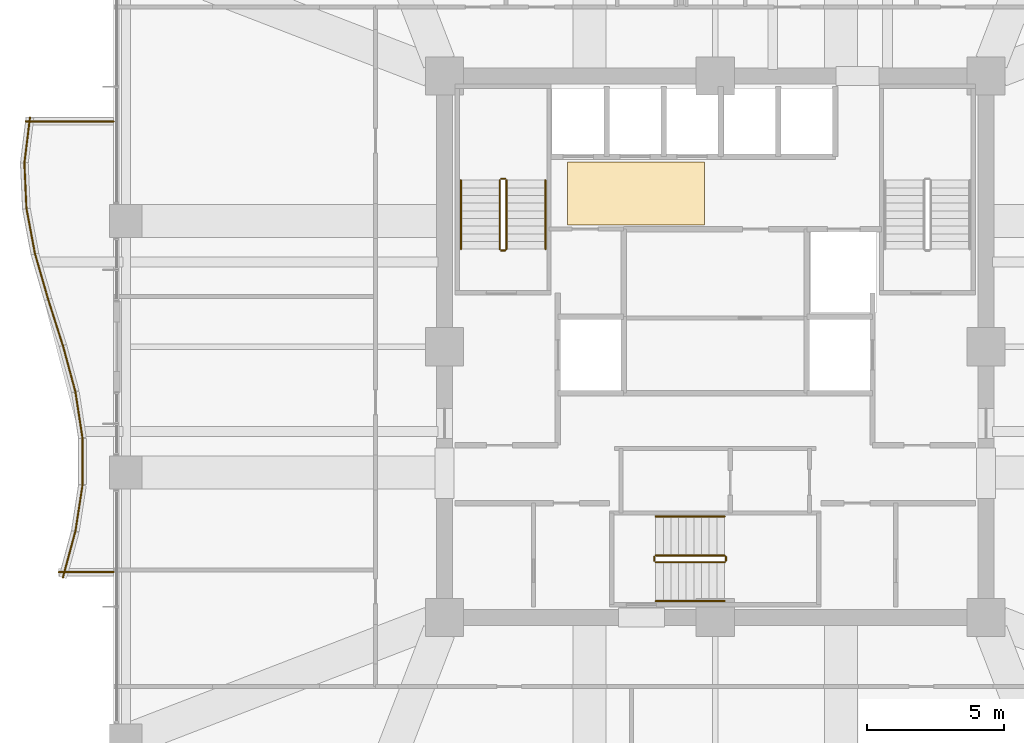
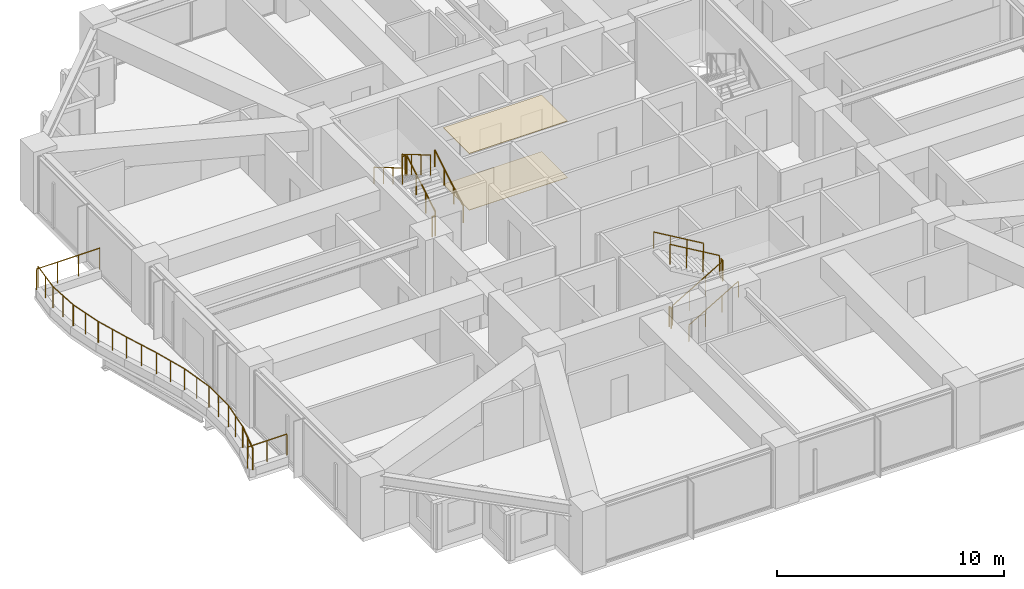
# One storey, part 37 of 39: 24 railings, 2 coverings.
"""IFC4 building model written with IfcOpenShell, lengths in metres."""

from ifc_helpers import new_model, si_unit, direction, frame, origin, origin_2d, place, context, subcontext, project, spatial, polyline, circle, outline, extrude, material, layer, layer_set, type_object, element, save


model = new_model("IFC4")

# Units and contexts
model_context = context("Model", 3, precision=1e-05, world=origin(), true_north=direction((0.0, 1.0)))
body_context = subcontext(model_context, "Body", "Model", "MODEL_VIEW")
ifc_project = project(units=[si_unit("LENGTHUNIT", "METRE"), si_unit("AREAUNIT", "SQUARE_METRE"), si_unit("VOLUMEUNIT", "CUBIC_METRE"), si_unit("PLANEANGLEUNIT", "RADIAN"), si_unit("MASSUNIT", "GRAM", prefix="KILO")], contexts=[model_context])

# Site, building, storey
site_placement = place(None, origin())
site = spatial("IfcSite", under=ifc_project, at=site_placement, CompositionType="ELEMENT")
building_placement = place(site_placement, origin())
building = spatial("IfcBuilding", under=site, at=building_placement, Name="Kolvaren Belvedere", CompositionType="ELEMENT")
storey_placement = place(building_placement, frame((0.0, 0.0, 33.699951171875)))
storey = spatial("IfcBuildingStorey", under=building, at=storey_placement, Name="L09", CompositionType="ELEMENT", Elevation=33.699951171875)

# Coverings
ifc_material_1 = material(Name="Acoustic perforated gypsum board", Category="gypsum")
ifc_layer_1 = layer(ifc_material_1, 0.02490234375)
ifc_layer_set_1 = layer_set([ifc_layer_1], Name="Acoustic perforated gypsum board")
covering_type_1 = type_object("IfcCoveringType", Name="COV-CEIL-GYP", PredefinedType="CEILING", material=ifc_layer_set_1)
covering_1_placement = place(storey_placement, frame((0.0, 0.0, 3.03515625)))
element("IfcCovering", 1, at=covering_1_placement, inside=storey, type_object=covering_type_1, Name="L09 Lift Lobby Acoustic Baffle Ceiling", PredefinedType="CEILING", context=body_context, shape_type="SweptSolid", body=[
    extrude(outline(polyline([(-5.39990234375, 4.449951171875), (-0.39990234375, 4.449951171875), (-0.39990234375, 6.75), (-5.39990234375, 6.75), (-5.39990234375, 4.449951171875)])), origin(), (0.0, 0.0, 1.0), 0.02490234375),
])
ifc_material_2 = material(Name="Engineered Pacific white oak", Category="timber")
ifc_layer_2 = layer(ifc_material_2, 0.02001953125)
ifc_layer_set_2 = layer_set([ifc_layer_2], Name="Engineered Pacific white oak")
covering_type_2 = type_object("IfcCoveringType", Name="COV-FLR-OAK", PredefinedType="FLOORING", material=ifc_layer_set_2)
covering_2_placement = place(storey_placement, origin())
element("IfcCovering", 2, at=covering_2_placement, inside=storey, type_object=covering_type_2, Name="L09 Lift Lobby Finish Flooring", PredefinedType="FLOORING", context=body_context, shape_type="SweptSolid", body=[
    extrude(outline(polyline([(-5.39990234375, 4.449951171875), (-0.39990234375, 4.449951171875), (-0.39990234375, 6.75), (-5.39990234375, 6.75), (-5.39990234375, 4.449951171875)])), origin(), (0.0, 0.0, 1.0), 0.02001953125),
])

# Railings
ifc_material_3 = material(Name="Anodised pale-metal aluminium & laminated glass guard", Category="aluminium")
railing_type_1 = type_object("IfcRailingType", Name="RL-GUARD-1150", PredefinedType="GUARDRAIL", material=ifc_material_3)
railing_1_placement = place(storey_placement, frame((-25.054931640625, 8.380615234375, 0.360107421875)))
element("IfcRailing", 3, at=railing_1_placement, inside=storey, type_object=railing_type_1, Name="L09 Exterior Deck Safety Guard BAL-W-1", PredefinedType="GUARDRAIL", context=body_context, shape_type="SweptSolid", body=[
    extrude(circle(Radius=0.02392578125, at=origin_2d()), frame((0.0, 0.0, 1.1259765625), z_axis=(-0.121868867697, -0.992546210051, 0.0), x_axis=(0.992546210051, -0.121868867697, 0.0)), (0.0, 0.0, 1.0), 1.69287109375),
    extrude(circle(Radius=0.02099609375, at=origin_2d()), origin(), (0.0, 0.0, 1.0), 1.101806640625),
    extrude(circle(Radius=0.02099609375, at=origin_2d()), frame((-0.10302734375, -0.840087890625, 0.0)), (0.0, 0.0, 1.0), 1.101806640625),
    extrude(circle(Radius=0.02099609375, at=origin_2d()), frame((-0.206298828125, -1.68017578125, 0.0)), (0.0, 0.0, 1.0), 1.101806640625),
])
railing_2_placement = place(storey_placement, frame((-25.26025390625, 6.727294921875, 0.360107421875)))
element("IfcRailing", 4, at=railing_2_placement, inside=storey, type_object=railing_type_1, Name="L09 Exterior Deck Safety Guard BAL-W-2", PredefinedType="GUARDRAIL", context=body_context, shape_type="SweptSolid", body=[
    extrude(circle(Radius=0.02392578125, at=origin_2d()), frame((0.0, 0.0, 1.1259765625), z_axis=(0.045144279054, -0.998980477321, 0.0), x_axis=(0.998980477321, 0.045144279054, 0.0)), (0.0, 0.0, 1.0), 1.681884765625),
    extrude(circle(Radius=0.02099609375, at=origin_2d()), origin(), (0.0, 0.0, 1.0), 1.101806640625),
    extrude(circle(Radius=0.02099609375, at=origin_2d()), frame((0.0380859375, -0.840087890625, 0.0)), (0.0, 0.0, 1.0), 1.101806640625),
    extrude(circle(Radius=0.02099609375, at=origin_2d()), frame((0.075927734375, -1.68017578125, 0.0)), (0.0, 0.0, 1.0), 1.101806640625),
])
railing_3_placement = place(storey_placement, frame((-25.18701171875, 5.069580078125, 0.360107421875)))
element("IfcRailing", 5, at=railing_3_placement, inside=storey, type_object=railing_type_1, Name="L09 Exterior Deck Safety Guard BAL-W-3", PredefinedType="GUARDRAIL", context=body_context, shape_type="SweptSolid", body=[
    extrude(circle(Radius=0.02392578125, at=origin_2d()), frame((0.0, 0.0, 1.1259765625), z_axis=(0.184814532932, -0.982773416621, 0.0), x_axis=(0.982773416621, 0.184814532932, 0.0)), (0.0, 0.0, 1.0), 1.70947265625),
    extrude(circle(Radius=0.02099609375, at=origin_2d()), origin(), (0.0, 0.0, 1.0), 1.101806640625),
    extrude(circle(Radius=0.02099609375, at=origin_2d()), frame((0.157958984375, -0.83984375, 0.0)), (0.0, 0.0, 1.0), 1.101806640625),
    extrude(circle(Radius=0.02099609375, at=origin_2d()), frame((0.31591796875, -1.679931640625, 0.0)), (0.0, 0.0, 1.0), 1.101806640625),
])
railing_4_placement = place(storey_placement, frame((-24.874755859375, 3.404541015625, 0.360107421875)))
element("IfcRailing", 6, at=railing_4_placement, inside=storey, type_object=railing_type_1, Name="L09 Exterior Deck Safety Guard BAL-W-4", PredefinedType="GUARDRAIL", context=body_context, shape_type="SweptSolid", body=[
    extrude(circle(Radius=0.02392578125, at=origin_2d()), frame((0.0, 0.0, 1.1259765625), z_axis=(0.277946215201, -0.96059663827, 0.0), x_axis=(0.96059663827, 0.277946215201, 0.0)), (0.0, 0.0, 1.0), 1.748779296875),
    extrude(circle(Radius=0.02099609375, at=origin_2d()), origin(), (0.0, 0.0, 1.0), 1.101806640625),
    extrude(circle(Radius=0.02099609375, at=origin_2d()), frame((0.2431640625, -0.83984375, 0.0)), (0.0, 0.0, 1.0), 1.101806640625),
    extrude(circle(Radius=0.02099609375, at=origin_2d()), frame((0.486083984375, -1.679931640625, 0.0)), (0.0, 0.0, 1.0), 1.101806640625),
])
railing_5_placement = place(storey_placement, frame((-24.389892578125, 1.728515625, 0.360107421875)))
element("IfcRailing", 7, at=railing_5_placement, inside=storey, type_object=railing_type_1, Name="L09 Exterior Deck Safety Guard BAL-W-5", PredefinedType="GUARDRAIL", context=body_context, shape_type="SweptSolid", body=[
    extrude(circle(Radius=0.02392578125, at=origin_2d()), frame((0.0, 0.0, 1.1259765625), z_axis=(0.303906495014, -0.952701864325, 0.0), x_axis=(0.952701864325, 0.303906495014, 0.0)), (0.0, 0.0, 1.0), 1.763427734375),
    extrude(circle(Radius=0.02099609375, at=origin_2d()), origin(), (0.0, 0.0, 1.0), 1.101806640625),
    extrude(circle(Radius=0.02099609375, at=origin_2d()), frame((0.26806640625, -0.83984375, 0.0)), (0.0, 0.0, 1.0), 1.101806640625),
    extrude(circle(Radius=0.02099609375, at=origin_2d()), frame((0.535888671875, -1.679931640625, 0.0)), (0.0, 0.0, 1.0), 1.101806640625),
])
railing_6_placement = place(storey_placement, frame((-23.851806640625, 0.041748046875, 0.360107421875)))
element("IfcRailing", 8, at=railing_6_placement, inside=storey, type_object=railing_type_1, Name="L09 Exterior Deck Safety Guard BAL-W-6", PredefinedType="GUARDRAIL", context=body_context, shape_type="SweptSolid", body=[
    extrude(circle(Radius=0.02392578125, at=origin_2d()), frame((0.0, 0.0, 1.1259765625), z_axis=(0.260682852326, -0.965424492388, 0.0), x_axis=(0.965424492388, 0.260682852326, 0.0)), (0.0, 0.0, 1.0), 1.739990234375),
    extrude(circle(Radius=0.02099609375, at=origin_2d()), origin(), (0.0, 0.0, 1.0), 1.101806640625),
    extrude(circle(Radius=0.02099609375, at=origin_2d()), frame((0.226806640625, -0.83984375, 0.0)), (0.0, 0.0, 1.0), 1.101806640625),
    extrude(circle(Radius=0.02099609375, at=origin_2d()), frame((0.45361328125, -1.679931640625, 0.0)), (0.0, 0.0, 1.0), 1.101806640625),
])
railing_7_placement = place(storey_placement, frame((-23.39453125, -1.655517578125, 0.360107421875)))
element("IfcRailing", 9, at=railing_7_placement, inside=storey, type_object=railing_type_1, Name="L09 Exterior Deck Safety Guard BAL-W-7", PredefinedType="GUARDRAIL", context=body_context, shape_type="SweptSolid", body=[
    extrude(circle(Radius=0.02392578125, at=origin_2d()), frame((0.0, 0.0, 1.1259765625), z_axis=(0.152229849666, -0.988345118302, 0.0), x_axis=(0.988345118302, 0.152229849666, 0.0)), (0.0, 0.0, 1.0), 1.699951171875),
    extrude(circle(Radius=0.02099609375, at=origin_2d()), origin(), (0.0, 0.0, 1.0), 1.101806640625),
    extrude(circle(Radius=0.02099609375, at=origin_2d()), frame((0.12939453125, -0.840087890625, 0.0)), (0.0, 0.0, 1.0), 1.101806640625),
    extrude(circle(Radius=0.02099609375, at=origin_2d()), frame((0.2587890625, -1.68017578125, 0.0)), (0.0, 0.0, 1.0), 1.101806640625),
])
railing_8_placement = place(storey_placement, frame((-23.1337890625, -3.360107421875, 0.360107421875)))
element("IfcRailing", 10, at=railing_8_placement, inside=storey, type_object=railing_type_1, Name="L09 Exterior Deck Safety Guard BAL-W-8", PredefinedType="GUARDRAIL", context=body_context, shape_type="SweptSolid", body=[
    extrude(circle(Radius=0.02392578125, at=origin_2d()), frame((0.0, 0.0, 1.1259765625), z_axis=(0.0, -1.0, 0.0), x_axis=(1.0, 0.0, 0.0)), (0.0, 0.0, 1.0), 1.679931640625),
    extrude(circle(Radius=0.02099609375, at=origin_2d()), origin(), (0.0, 0.0, 1.0), 1.101806640625),
    extrude(circle(Radius=0.02099609375, at=origin_2d()), frame((0.0, -0.83984375, 0.0)), (0.0, 0.0, 1.0), 1.101806640625),
    extrude(circle(Radius=0.02099609375, at=origin_2d()), frame((0.0, -1.679931640625, 0.0)), (0.0, 0.0, 1.0), 1.101806640625),
])
railing_9_placement = place(storey_placement, frame((-23.1357421875, -5.064453125, 0.360107421875)))
element("IfcRailing", 11, at=railing_9_placement, inside=storey, type_object=railing_type_1, Name="L09 Exterior Deck Safety Guard BAL-W-9", PredefinedType="GUARDRAIL", context=body_context, shape_type="SweptSolid", body=[
    extrude(circle(Radius=0.02392578125, at=origin_2d()), frame((0.0, 0.0, 1.1259765625), z_axis=(-0.152251460091, -0.988341789514, 0.0), x_axis=(0.988341789514, -0.152251460091, 0.0)), (0.0, 0.0, 1.0), 1.69970703125),
    extrude(circle(Radius=0.02099609375, at=origin_2d()), origin(), (0.0, 0.0, 1.0), 1.101806640625),
    extrude(circle(Radius=0.02099609375, at=origin_2d()), frame((-0.12939453125, -0.83984375, 0.0)), (0.0, 0.0, 1.0), 1.101806640625),
    extrude(circle(Radius=0.02099609375, at=origin_2d()), frame((-0.2587890625, -1.679931640625, 0.0)), (0.0, 0.0, 1.0), 1.101806640625),
])
railing_10_placement = place(storey_placement, frame((-23.398193359375, -6.76171875, 0.360107421875)))
element("IfcRailing", 12, at=railing_10_placement, inside=storey, type_object=railing_type_1, Name="L09 Exterior Deck Safety Guard BAL-W-10", PredefinedType="GUARDRAIL", context=body_context, shape_type="SweptSolid", body=[
    extrude(circle(Radius=0.02392578125, at=origin_2d()), frame((0.0, 0.0, 1.1259765625), z_axis=(-0.260682852326, -0.965424492388, 0.0), x_axis=(0.965424492388, -0.260682852326, 0.0)), (0.0, 0.0, 1.0), 1.739990234375),
    extrude(circle(Radius=0.02099609375, at=origin_2d()), origin(), (0.0, 0.0, 1.0), 1.101806640625),
    extrude(circle(Radius=0.02099609375, at=origin_2d()), frame((-0.226806640625, -0.83984375, 0.0)), (0.0, 0.0, 1.0), 1.101806640625),
    extrude(circle(Radius=0.02099609375, at=origin_2d()), frame((-0.45361328125, -1.679931640625, 0.0)), (0.0, 0.0, 1.0), 1.101806640625),
])
railing_11_placement = place(storey_placement, frame((-24.00634765625, -8.239990234375, 0.360107421875)))
element("IfcRailing", 13, at=railing_11_placement, inside=storey, type_object=railing_type_1, Name="L09 Exterior Deck Safety Guard BAL-W-11", PredefinedType="GUARDRAIL", context=body_context, shape_type="SweptSolid", body=[
    extrude(circle(Radius=0.02392578125, at=origin_2d()), frame((0.0, 0.0, 1.1259765625), z_axis=(1.0, 0.0, 0.0), x_axis=(0.0, 1.0, 0.0)), (0.0, 0.0, 1.0), 2.00634765625),
    extrude(circle(Radius=0.02099609375, at=origin_2d()), origin(), (0.0, 0.0, 1.0), 1.101806640625),
    extrude(circle(Radius=0.02099609375, at=origin_2d()), frame((1.003173828125, 0.0, 0.0)), (0.0, 0.0, 1.0), 1.101806640625),
    extrude(circle(Radius=0.02099609375, at=origin_2d()), frame((2.00634765625, 0.0, 0.0)), (0.0, 0.0, 1.0), 1.101806640625),
])
railing_12_placement = place(storey_placement, frame((-22.0, 8.239990234375, 0.360107421875)))
element("IfcRailing", 14, at=railing_12_placement, inside=storey, type_object=railing_type_1, Name="L09 Exterior Deck Safety Guard BAL-W-22", PredefinedType="GUARDRAIL", context=body_context, shape_type="SweptSolid", body=[
    extrude(circle(Radius=0.02392578125, at=origin_2d()), frame((0.0, 0.0, 1.1259765625), z_axis=(-1.0, 0.0, 0.0), x_axis=(0.0, -1.0, 0.0)), (0.0, 0.0, 1.0), 3.213623046875),
    extrude(circle(Radius=0.02099609375, at=origin_2d()), origin(), (0.0, 0.0, 1.0), 1.101806640625),
    extrude(circle(Radius=0.02099609375, at=origin_2d()), frame((-1.0712890625, 0.0, 0.0)), (0.0, 0.0, 1.0), 1.101806640625),
    extrude(circle(Radius=0.02099609375, at=origin_2d()), frame((-2.142333984375, 0.0, 0.0)), (0.0, 0.0, 1.0), 1.101806640625),
    extrude(circle(Radius=0.02099609375, at=origin_2d()), frame((-3.213623046875, 0.0, 0.0)), (0.0, 0.0, 1.0), 1.101806640625),
])
ifc_material_4 = material(Name="Brushed stainless-steel handrail", Category="steel")
railing_type_2 = type_object("IfcRailingType", Name="RL-HANDRAIL-920", PredefinedType="HANDRAIL", material=ifc_material_4)
railing_13_placement = place(storey_placement, frame((-6.2099609375, 3.570068359375, 0.1650390625)))
element("IfcRailing", 15, at=railing_13_placement, inside=storey, type_object=railing_type_2, Name="L09 ST-1 stair handrail 1", PredefinedType="HANDRAIL", context=body_context, shape_type="SweptSolid", body=[
    extrude(circle(Radius=0.02392578125, at=origin_2d()), frame((0.0, 0.0, 0.8759765625), z_axis=(0.0, 0.86152411907, 0.507716645641), x_axis=(-1.0, 0.0, 0.0)), (0.0, 0.0, 1.0), 2.925048828125),
    extrude(circle(Radius=0.02099609375, at=origin_2d()), origin(), (0.0, 0.0, 1.0), 0.851806640625),
    extrude(circle(Radius=0.02099609375, at=origin_2d()), frame((0.0, 0.840087890625, 0.4951171875)), (0.0, 0.0, 1.0), 0.851806640625),
    extrude(circle(Radius=0.02099609375, at=origin_2d()), frame((0.0, 1.679931640625, 0.989990234375)), (0.0, 0.0, 1.0), 0.851806640625),
    extrude(circle(Radius=0.02099609375, at=origin_2d()), frame((0.0, 2.52001953125, 1.485107421875)), (0.0, 0.0, 1.0), 0.851806640625),
])
railing_14_placement = place(storey_placement, frame((-9.300048828125, 6.090087890625, 1.81494140625)))
element("IfcRailing", 16, at=railing_14_placement, inside=storey, type_object=railing_type_2, Name="L09 ST-1 stair handrail 2", PredefinedType="HANDRAIL", context=body_context, shape_type="SweptSolid", body=[
    extrude(circle(Radius=0.02392578125, at=origin_2d()), frame((0.0, 0.0, 0.8759765625), z_axis=(0.0, -0.86152411907, 0.507716645641), x_axis=(1.0, 0.0, 0.0)), (0.0, 0.0, 1.0), 2.925048828125),
    extrude(circle(Radius=0.02099609375, at=origin_2d()), origin(), (0.0, 0.0, 1.0), 0.851806640625),
    extrude(circle(Radius=0.02099609375, at=origin_2d()), frame((0.0, -0.840087890625, 0.4951171875)), (0.0, 0.0, 1.0), 0.851806640625),
    extrude(circle(Radius=0.02099609375, at=origin_2d()), frame((0.0, -1.679931640625, 0.989990234375)), (0.0, 0.0, 1.0), 0.851806640625),
    extrude(circle(Radius=0.02099609375, at=origin_2d()), frame((0.0, -2.52001953125, 1.485107421875)), (0.0, 0.0, 1.0), 0.851806640625),
])
railing_15_placement = place(storey_placement, frame((-2.179931640625, -9.300048828125, 0.1650390625)))
element("IfcRailing", 17, at=railing_15_placement, inside=storey, type_object=railing_type_2, Name="L09 ST-3 stair handrail 1", PredefinedType="HANDRAIL", context=body_context, shape_type="SweptSolid", body=[
    extrude(circle(Radius=0.02392578125, at=origin_2d()), frame((0.0, 0.0, 0.8759765625), z_axis=(0.86152411907, 0.0, 0.507716645641), x_axis=(0.0, 1.0, 0.0)), (0.0, 0.0, 1.0), 2.925048828125),
    extrude(circle(Radius=0.02099609375, at=origin_2d()), origin(), (0.0, 0.0, 1.0), 0.851806640625),
    extrude(circle(Radius=0.02099609375, at=origin_2d()), frame((0.840087890625, 0.0, 0.4951171875)), (0.0, 0.0, 1.0), 0.851806640625),
    extrude(circle(Radius=0.02099609375, at=origin_2d()), frame((1.679931640625, 0.0, 0.989990234375)), (0.0, 0.0, 1.0), 0.851806640625),
    extrude(circle(Radius=0.02099609375, at=origin_2d()), frame((2.52001953125, 0.0, 1.485107421875)), (0.0, 0.0, 1.0), 0.851806640625),
])
railing_16_placement = place(storey_placement, frame((0.340087890625, -6.2099609375, 1.81494140625)))
element("IfcRailing", 18, at=railing_16_placement, inside=storey, type_object=railing_type_2, Name="L09 ST-3 stair handrail 2", PredefinedType="HANDRAIL", context=body_context, shape_type="SweptSolid", body=[
    extrude(circle(Radius=0.02392578125, at=origin_2d()), frame((0.0, 0.0, 0.8759765625), z_axis=(-0.86152411907, 0.0, 0.507716645641), x_axis=(0.0, -1.0, 0.0)), (0.0, 0.0, 1.0), 2.925048828125),
    extrude(circle(Radius=0.02099609375, at=origin_2d()), origin(), (0.0, 0.0, 1.0), 0.851806640625),
    extrude(circle(Radius=0.02099609375, at=origin_2d()), frame((-0.840087890625, 0.0, 0.4951171875)), (0.0, 0.0, 1.0), 0.851806640625),
    extrude(circle(Radius=0.02099609375, at=origin_2d()), frame((-1.679931640625, 0.0, 0.989990234375)), (0.0, 0.0, 1.0), 0.851806640625),
    extrude(circle(Radius=0.02099609375, at=origin_2d()), frame((-2.52001953125, 0.0, 1.485107421875)), (0.0, 0.0, 1.0), 0.851806640625),
])
ifc_material_5 = material(Name="Painted tubular steel stair guard", Category="steel")
railing_type_3 = type_object("IfcRailingType", Name="RL-STGUARD-1100", PredefinedType="GUARDRAIL", material=ifc_material_5)
railing_17_placement = place(storey_placement, frame((-7.6298828125, 3.570068359375, 0.1650390625)))
element("IfcRailing", 19, at=railing_17_placement, inside=storey, type_object=railing_type_3, Name="L09 ST-1 stair guard 1", PredefinedType="GUARDRAIL", context=body_context, shape_type="SweptSolid", body=[
    extrude(circle(Radius=0.02392578125, at=origin_2d()), frame((0.0, 0.0, 1.076171875), z_axis=(0.0, 0.86152411907, 0.507716645641), x_axis=(-1.0, 0.0, 0.0)), (0.0, 0.0, 1.0), 2.925048828125),
    extrude(circle(Radius=0.02099609375, at=origin_2d()), origin(), (0.0, 0.0, 1.0), 1.052001953125),
    extrude(circle(Radius=0.02099609375, at=origin_2d()), frame((0.0, 0.840087890625, 0.4951171875)), (0.0, 0.0, 1.0), 1.052001953125),
    extrude(circle(Radius=0.02099609375, at=origin_2d()), frame((0.0, 1.679931640625, 0.989990234375)), (0.0, 0.0, 1.0), 1.052001953125),
    extrude(circle(Radius=0.02099609375, at=origin_2d()), frame((0.0, 2.52001953125, 1.485107421875)), (0.0, 0.0, 1.0), 1.052001953125),
])
railing_18_placement = place(storey_placement, frame((-7.679931640625, 6.139892578125, 1.650146484375)))
element("IfcRailing", 20, at=railing_18_placement, inside=storey, type_object=railing_type_3, Name="L09 ST-1 stair guard 2", PredefinedType="GUARDRAIL", context=body_context, shape_type="SweptSolid", body=[
    extrude(circle(Radius=0.02392578125, at=origin_2d()), frame((0.0, 0.0, 1.076171875), z_axis=(-1.0, 0.0, 0.0), x_axis=(0.0, -1.0, 0.0)), (0.0, 0.0, 1.0), 0.150146484375),
    extrude(circle(Radius=0.02099609375, at=origin_2d()), origin(), (0.0, 0.0, 1.0), 1.052001953125),
    extrude(circle(Radius=0.02099609375, at=origin_2d()), frame((-0.150146484375, 0.0, 0.0)), (0.0, 0.0, 1.0), 1.052001953125),
])
railing_19_placement = place(storey_placement, frame((-7.8798828125, 6.090087890625, 1.81494140625)))
element("IfcRailing", 21, at=railing_19_placement, inside=storey, type_object=railing_type_3, Name="L09 ST-1 stair guard 3", PredefinedType="GUARDRAIL", context=body_context, shape_type="SweptSolid", body=[
    extrude(circle(Radius=0.02392578125, at=origin_2d()), frame((0.0, 0.0, 1.076171875), z_axis=(0.0, -0.86152411907, 0.507716645641), x_axis=(1.0, 0.0, 0.0)), (0.0, 0.0, 1.0), 2.925048828125),
    extrude(circle(Radius=0.02099609375, at=origin_2d()), origin(), (0.0, 0.0, 1.0), 1.052001953125),
    extrude(circle(Radius=0.02099609375, at=origin_2d()), frame((0.0, -0.840087890625, 0.4951171875)), (0.0, 0.0, 1.0), 1.052001953125),
    extrude(circle(Radius=0.02099609375, at=origin_2d()), frame((0.0, -1.679931640625, 0.989990234375)), (0.0, 0.0, 1.0), 1.052001953125),
    extrude(circle(Radius=0.02099609375, at=origin_2d()), frame((0.0, -2.52001953125, 1.485107421875)), (0.0, 0.0, 1.0), 1.052001953125),
])
railing_20_placement = place(storey_placement, frame((-7.679931640625, 3.52001953125, 0.0)))
element("IfcRailing", 22, at=railing_20_placement, inside=storey, type_object=railing_type_3, Name="L09 ST-1 stair guard 4", PredefinedType="GUARDRAIL", context=body_context, shape_type="SweptSolid", body=[
    extrude(circle(Radius=0.02392578125, at=origin_2d()), frame((0.0, 0.0, 1.076171875), z_axis=(-1.0, 0.0, 0.0), x_axis=(0.0, -1.0, 0.0)), (0.0, 0.0, 1.0), 0.150146484375),
    extrude(circle(Radius=0.02099609375, at=origin_2d()), origin(), (0.0, 0.0, 1.0), 1.052001953125),
    extrude(circle(Radius=0.02099609375, at=origin_2d()), frame((-0.150146484375, 0.0, 0.0)), (0.0, 0.0, 1.0), 1.052001953125),
])
railing_21_placement = place(storey_placement, frame((-2.179931640625, -7.8798828125, 0.1650390625)))
element("IfcRailing", 23, at=railing_21_placement, inside=storey, type_object=railing_type_3, Name="L09 ST-3 stair guard 1", PredefinedType="GUARDRAIL", context=body_context, shape_type="SweptSolid", body=[
    extrude(circle(Radius=0.02392578125, at=origin_2d()), frame((0.0, 0.0, 1.076171875), z_axis=(0.86152411907, 0.0, 0.507716645641), x_axis=(0.0, 1.0, 0.0)), (0.0, 0.0, 1.0), 2.925048828125),
    extrude(circle(Radius=0.02099609375, at=origin_2d()), origin(), (0.0, 0.0, 1.0), 1.052001953125),
    extrude(circle(Radius=0.02099609375, at=origin_2d()), frame((0.840087890625, 0.0, 0.4951171875)), (0.0, 0.0, 1.0), 1.052001953125),
    extrude(circle(Radius=0.02099609375, at=origin_2d()), frame((1.679931640625, 0.0, 0.989990234375)), (0.0, 0.0, 1.0), 1.052001953125),
    extrude(circle(Radius=0.02099609375, at=origin_2d()), frame((2.52001953125, 0.0, 1.485107421875)), (0.0, 0.0, 1.0), 1.052001953125),
])
railing_22_placement = place(storey_placement, frame((0.389892578125, -7.830078125, 1.650146484375)))
element("IfcRailing", 24, at=railing_22_placement, inside=storey, type_object=railing_type_3, Name="L09 ST-3 stair guard 2", PredefinedType="GUARDRAIL", context=body_context, shape_type="SweptSolid", body=[
    extrude(circle(Radius=0.02392578125, at=origin_2d()), frame((0.0, 0.0, 1.076171875), z_axis=(0.0, 1.0, 0.0), x_axis=(-1.0, 0.0, 0.0)), (0.0, 0.0, 1.0), 0.150146484375),
    extrude(circle(Radius=0.02099609375, at=origin_2d()), origin(), (0.0, 0.0, 1.0), 1.052001953125),
    extrude(circle(Radius=0.02099609375, at=origin_2d()), frame((0.0, 0.150146484375, 0.0)), (0.0, 0.0, 1.0), 1.052001953125),
])
railing_23_placement = place(storey_placement, frame((0.340087890625, -7.6298828125, 1.81494140625)))
element("IfcRailing", 25, at=railing_23_placement, inside=storey, type_object=railing_type_3, Name="L09 ST-3 stair guard 3", PredefinedType="GUARDRAIL", context=body_context, shape_type="SweptSolid", body=[
    extrude(circle(Radius=0.02392578125, at=origin_2d()), frame((0.0, 0.0, 1.076171875), z_axis=(-0.86152411907, 0.0, 0.507716645641), x_axis=(0.0, -1.0, 0.0)), (0.0, 0.0, 1.0), 2.925048828125),
    extrude(circle(Radius=0.02099609375, at=origin_2d()), origin(), (0.0, 0.0, 1.0), 1.052001953125),
    extrude(circle(Radius=0.02099609375, at=origin_2d()), frame((-0.840087890625, 0.0, 0.4951171875)), (0.0, 0.0, 1.0), 1.052001953125),
    extrude(circle(Radius=0.02099609375, at=origin_2d()), frame((-1.679931640625, 0.0, 0.989990234375)), (0.0, 0.0, 1.0), 1.052001953125),
    extrude(circle(Radius=0.02099609375, at=origin_2d()), frame((-2.52001953125, 0.0, 1.485107421875)), (0.0, 0.0, 1.0), 1.052001953125),
])
railing_24_placement = place(storey_placement, frame((-2.22998046875, -7.830078125, 0.0)))
element("IfcRailing", 26, at=railing_24_placement, inside=storey, type_object=railing_type_3, Name="L09 ST-3 stair guard 4", PredefinedType="GUARDRAIL", context=body_context, shape_type="SweptSolid", body=[
    extrude(circle(Radius=0.02392578125, at=origin_2d()), frame((0.0, 0.0, 1.076171875), z_axis=(0.0, 1.0, 0.0), x_axis=(-1.0, 0.0, 0.0)), (0.0, 0.0, 1.0), 0.150146484375),
    extrude(circle(Radius=0.02099609375, at=origin_2d()), origin(), (0.0, 0.0, 1.0), 1.052001953125),
    extrude(circle(Radius=0.02099609375, at=origin_2d()), frame((0.0, 0.150146484375, 0.0)), (0.0, 0.0, 1.0), 1.052001953125),
])

save(model, "model.ifc")
